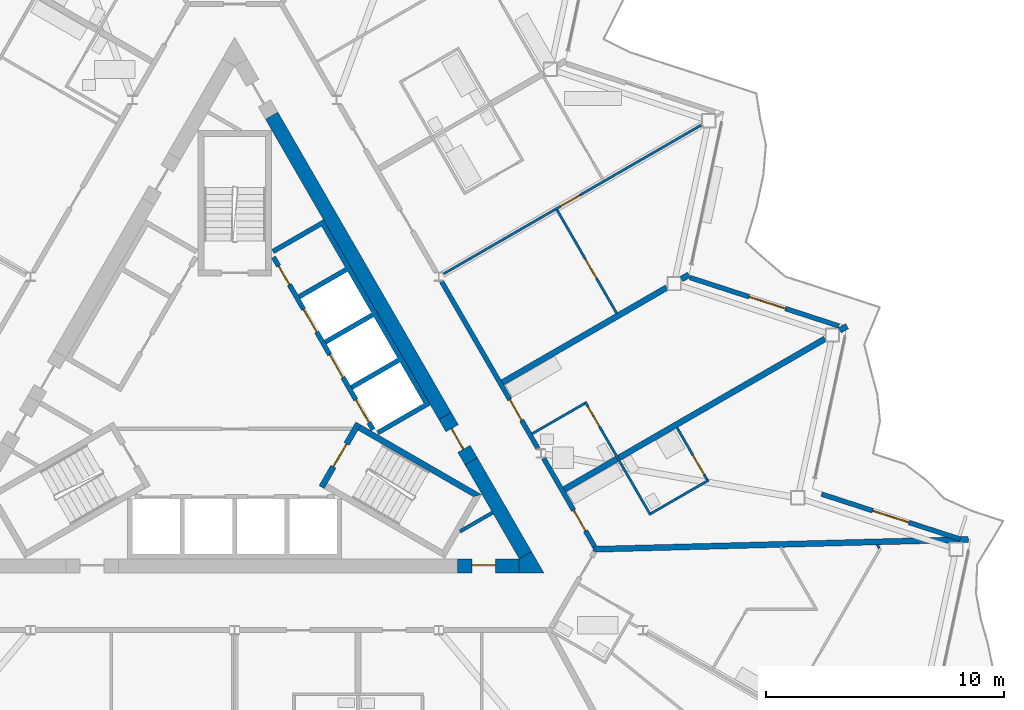
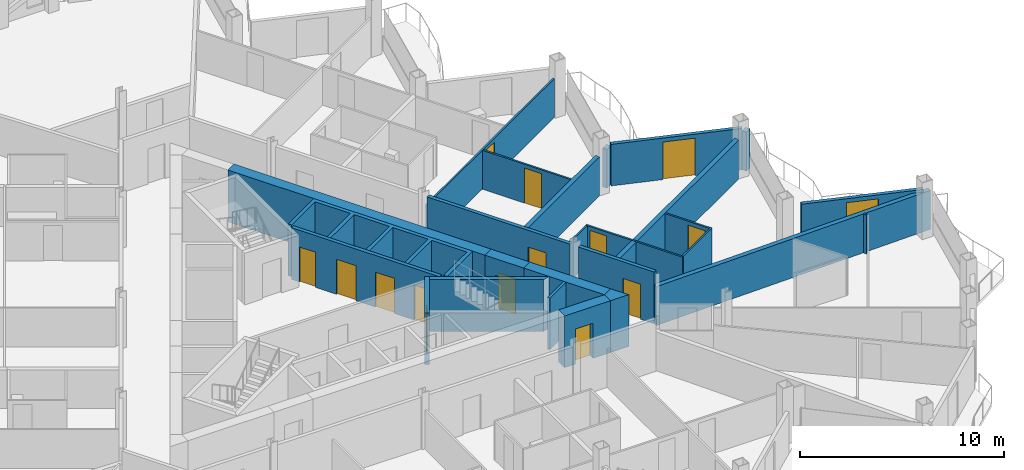
# One storey, part 17 of 28: 26 walls, 15 doors, 15 openings.
"""IFC4 building model written with IfcOpenShell, lengths in metres."""

from ifc_helpers import new_model, si_unit, direction, frame, frame_2d, origin, place, context, subcontext, project, spatial, polyline, rectangle, outline, extrude, material, layer, layer_set, type_object, element, fill, save


model = new_model("IFC4")

# Units and contexts
model_context = context("Model", 3, precision=1e-05, world=origin(), true_north=direction((0.0, 1.0)))
body_context = subcontext(model_context, "Body", "Model", "MODEL_VIEW")
ifc_project = project(units=[si_unit("LENGTHUNIT", "METRE"), si_unit("AREAUNIT", "SQUARE_METRE"), si_unit("VOLUMEUNIT", "CUBIC_METRE"), si_unit("PLANEANGLEUNIT", "RADIAN"), si_unit("MASSUNIT", "GRAM", prefix="KILO")], contexts=[model_context])

# Site, building, storey
site_placement = place(None, origin())
site = spatial("IfcSite", under=ifc_project, at=site_placement, CompositionType="ELEMENT")
building_placement = place(site_placement, origin())
building = spatial("IfcBuilding", under=site, at=building_placement, Name="Cormorant Prow Tower", CompositionType="ELEMENT")
storey_placement = place(building_placement, frame((0.0, 0.0, 305.199951171875)))
storey = spatial("IfcBuildingStorey", under=building, at=storey_placement, Name="L66", CompositionType="ELEMENT", Elevation=305.199951171875)

# Walls
ifc_material_1 = material(Name="Gypsum board partition")
ifc_layer_1 = layer(ifc_material_1, 0.14990234375)
ifc_layer_set_1 = layer_set([ifc_layer_1], Name="Gypsum board partition")
wall_type_1 = type_object("IfcWallType", Name="Core partition 150", PredefinedType="PARTITIONING", material=ifc_layer_set_1)
wall_1_placement = place(storey_placement, frame((10.841796875, -4.96728515625, 0.0), z_axis=(0.0, 0.0, 1.0), x_axis=(-0.866098216386, -0.499873863663, 0.0)))
element("IfcWall", 1, at=wall_1_placement, inside=storey, type_object=wall_type_1, Name="Service room partition", PredefinedType="PARTITIONING", context=body_context, shape_type="SweptSolid", body=[
    extrude(rectangle(XDim=1.58203125, YDim=0.14990234375, at=frame_2d((0.791015625, 0.0))), origin(), (0.0, 0.0, 1.0), 3.10009765625),
])
ifc_material_2 = material(Name="Concrete 8000 psi", Category="concrete")
ifc_layer_2 = layer(ifc_material_2, 0.60009765625)
ifc_layer_set_2 = layer_set([ifc_layer_2], Name="Concrete 8000 psi")
wall_type_2 = type_object("IfcWallType", Name="Core shear wall 600", PredefinedType="SHEAR", material=ifc_layer_set_2)
wall_2_placement = place(storey_placement, frame((8.841064453125, -0.902099609375, 0.0), z_axis=(0.0, 0.0, 1.0), x_axis=(-0.499995618375, 0.866027933502, 0.0)))
element("IfcWall", 2, at=wall_2_placement, inside=storey, type_object=wall_type_2, Name="Core wall", PredefinedType="SHEAR", context=body_context, shape_type="SweptSolid", body=[
    extrude(rectangle(XDim=14.570556640625, YDim=0.60009765625, at=frame_2d((7.28515625, 0.0))), origin(), (0.0, 0.0, 1.0), 3.10009765625),
])
wall_3_placement = place(storey_placement, frame((12.220703125, -6.755615234375, 0.0), z_axis=(0.0, 0.0, 1.0), x_axis=(-0.500020646047, 0.866013483456, 0.0)))
element("IfcWall", 3, at=wall_3_placement, inside=storey, type_object=wall_type_2, Name="Core wall", PredefinedType="SHEAR", context=body_context, shape_type="SweptSolid", body=[
    extrude(rectangle(XDim=4.559326171875, YDim=0.60009765625, at=frame_2d((2.27978515625, 0.0))), origin(), (0.0, 0.0, 1.0), 3.10009765625),
])
wall_4_placement = place(storey_placement, origin())
element("IfcWall", 4, at=wall_4_placement, inside=storey, type_object=wall_type_2, Name="Core wall corner", PredefinedType="SHEAR", context=body_context, shape_type="SweptSolid", body=[
    extrude(outline(polyline([(11.960693359375, -7.505615234375), (11.960693359375, -6.905517578125), (12.48046875, -6.605712890625), (13.0, -7.505615234375), (11.960693359375, -7.505615234375)])), origin(), (0.0, 0.0, 1.0), 3.10009765625),
])

# Wall, opening, door
wall_5_placement = place(storey_placement, frame((9.36865234375, -7.20556640625, 0.0), z_axis=(0.0, 0.0, 1.0), x_axis=(1.0, 0.0, 0.0)))
wall_5 = element("IfcWall", 5, at=wall_5_placement, inside=storey, type_object=wall_type_2, Name="Core wall door panel", PredefinedType="SHEAR", context=body_context, shape_type="SweptSolid", body=[
    extrude(rectangle(XDim=2.592041015625, YDim=0.60009765625, at=frame_2d((1.2958984375, 0.0))), origin(), (0.0, 0.0, 1.0), 3.10009765625),
])
opening_1_placement = place(wall_5_placement, frame((0.60009765625, 0.0, 0.0)))
opening_1 = element("IfcOpeningElement", 6, at=opening_1_placement, cuts=wall_5, Name="Opening L66-C15", PredefinedType="OPENING", context=body_context, shape_type="SweptSolid", body=[
    extrude(rectangle(XDim=1.0, YDim=2.10009765625, at=frame_2d((0.5, 1.050048828125))), frame((0.0, 0.31005859375, 0.0), z_axis=(0.0, -1.0, 0.0), x_axis=(1.0, 0.0, 0.0)), (0.0, 0.0, 1.0), 0.6201171875),
])
ifc_material_3 = material(Name="Painted steel", Category="steel")
door_type_1 = type_object("IfcDoorType", Name="Service door 1000x2100", OperationType="NOTDEFINED", PredefinedType="DOOR", material=ifc_material_3)
door_1_placement = place(opening_1_placement, origin())
door_1 = element("IfcDoor", 7, at=door_1_placement, inside=storey, type_object=door_type_1, Name="Core door, Telecom room", OperationType="SINGLE_SWING_RIGHT", OverallHeight=2.10009765625, OverallWidth=1.0, PredefinedType="DOOR", context=body_context, shape_type="SweptSolid", body=[
    extrude(rectangle(XDim=1.0, YDim=2.10009765625, at=frame_2d((0.5, 1.050048828125))), frame((0.0, 0.05517578125, 0.0), z_axis=(0.0, -1.0, 0.0), x_axis=(1.0, 0.0, 0.0)), (0.0, 0.0, 1.0), 0.050048828125),
])
fill(opening_1, door_1)

wall_6_placement = place(storey_placement, frame((9.94091796875, -2.80712890625, 0.0), z_axis=(0.0, 0.0, 1.0), x_axis=(-0.499994660107, 0.866028486751, 0.0)))
wall_6 = element("IfcWall", 8, at=wall_6_placement, inside=storey, type_object=wall_type_2, Name="Core wall door panel", PredefinedType="SHEAR", context=body_context, shape_type="SweptSolid", body=[
    extrude(rectangle(XDim=2.19970703125, YDim=0.60009765625, at=frame_2d((1.099853515625, 0.0))), origin(), (0.0, 0.0, 1.0), 3.10009765625),
])
opening_2_placement = place(wall_6_placement, frame((0.60009765625, 0.0, 0.0)))
opening_2 = element("IfcOpeningElement", 9, at=opening_2_placement, cuts=wall_6, Name="Opening L66-C17", PredefinedType="OPENING", context=body_context, shape_type="SweptSolid", body=[
    extrude(rectangle(XDim=1.0, YDim=2.10009765625, at=frame_2d((0.5, 1.050048828125))), frame((0.0, 0.31005859375, 0.0), z_axis=(0.0, -1.0, 0.0), x_axis=(1.0, 0.0, 0.0)), (0.0, 0.0, 1.0), 0.6201171875),
])
door_2_placement = place(opening_2_placement, origin())
door_2 = element("IfcDoor", 10, at=door_2_placement, inside=storey, type_object=door_type_1, Name="Core door, Electrical room", OperationType="SINGLE_SWING_LEFT", OverallHeight=2.10009765625, OverallWidth=1.0, PredefinedType="DOOR", context=body_context, shape_type="SweptSolid", body=[
    extrude(rectangle(XDim=1.0, YDim=2.10009765625, at=frame_2d((0.5, 1.050048828125))), frame((0.0, 0.05517578125, 0.0), z_axis=(0.0, -1.0, 0.0), x_axis=(1.0, 0.0, 0.0)), (0.0, 0.0, 1.0), 0.050048828125),
])
fill(opening_2, door_2)

ifc_material_4 = material(Name="Gypsum board corridor wall")
ifc_layer_3 = layer(ifc_material_4, 0.199951171875)
ifc_layer_set_3 = layer_set([ifc_layer_3], Name="Gypsum board corridor wall")
wall_type_3 = type_object("IfcWallType", Name="Corridor wall 200", PredefinedType="PARTITIONING", material=ifc_layer_set_3)
wall_7_placement = place(storey_placement, frame((8.698486328125, 4.7451171875, 0.0), z_axis=(0.0, 0.0, 1.0), x_axis=(0.499984266882, -0.866034487114, 0.0)))
wall_7 = element("IfcWall", 11, at=wall_7_placement, inside=storey, type_object=wall_type_3, Name="Corridor wall", PredefinedType="PARTITIONING", context=body_context, shape_type="SweptSolid", body=[
    extrude(rectangle(XDim=8.098876953125, YDim=0.199951171875, at=frame_2d((4.04931640625, 0.0))), origin(), (0.0, 0.0, 1.0), 3.10009765625),
])
opening_3_placement = place(wall_7_placement, frame((5.732177734375, 0.0, 0.0)))
opening_3 = element("IfcOpeningElement", 12, at=opening_3_placement, cuts=wall_7, Name="Opening L66-F24", PredefinedType="OPENING", context=body_context, shape_type="SweptSolid", body=[
    extrude(rectangle(XDim=1.0, YDim=2.10009765625, at=frame_2d((0.5, 1.050048828125))), frame((0.0, 0.10986328125, 0.0), z_axis=(0.0, -1.0, 0.0), x_axis=(1.0, 0.0, 0.0)), (0.0, 0.0, 1.0), 0.219970703125),
])
ifc_material_5 = material(Name="Timber door leaf", Category="wood")
door_type_2 = type_object("IfcDoorType", Name="Flat or room entrance door 1000x2100", OperationType="NOTDEFINED", PredefinedType="DOOR", material=ifc_material_5)
door_3_placement = place(opening_3_placement, origin())
door_3 = element("IfcDoor", 13, at=door_3_placement, inside=storey, type_object=door_type_2, Name="Studio living, kitchen and sleeping room door", OperationType="SINGLE_SWING_RIGHT", OverallHeight=2.10009765625, OverallWidth=1.0, PredefinedType="DOOR", context=body_context, shape_type="SweptSolid", body=[
    extrude(rectangle(XDim=1.0, YDim=2.10009765625, at=frame_2d((0.5, 1.050048828125))), frame((0.0, 0.02490234375, 0.0), z_axis=(0.0, -1.0, 0.0), x_axis=(1.0, 0.0, 0.0)), (0.0, 0.0, 1.0), 0.050048828125),
])
fill(opening_3, door_3)

wall_8_placement = place(storey_placement, frame((12.987548828125, -2.68408203125, 0.0), z_axis=(0.0, 0.0, 1.0), x_axis=(0.500003406062, -0.866023437285, 0.0)))
wall_8 = element("IfcWall", 14, at=wall_8_placement, inside=storey, type_object=wall_type_3, Name="Corridor wall", PredefinedType="PARTITIONING", context=body_context, shape_type="SweptSolid", body=[
    extrude(rectangle(XDim=4.28759765625, YDim=0.199951171875, at=frame_2d((2.143798828125, 0.0))), origin(), (0.0, 0.0, 1.0), 3.10009765625),
])
opening_4_placement = place(wall_8_placement, frame((2.521484375, 0.0, 0.0)))
opening_4 = element("IfcOpeningElement", 15, at=opening_4_placement, cuts=wall_8, Name="Opening L66-F22", PredefinedType="OPENING", context=body_context, shape_type="SweptSolid", body=[
    extrude(rectangle(XDim=1.0, YDim=2.10009765625, at=frame_2d((0.5, 1.050048828125))), frame((0.0, 0.10986328125, 0.0), z_axis=(0.0, -1.0, 0.0), x_axis=(1.0, 0.0, 0.0)), (0.0, 0.0, 1.0), 0.219970703125),
])
door_4_placement = place(opening_4_placement, origin())
door_4 = element("IfcDoor", 16, at=door_4_placement, inside=storey, type_object=door_type_2, Name="Studio living, kitchen and sleeping room door", OperationType="SINGLE_SWING_LEFT", OverallHeight=2.10009765625, OverallWidth=1.0, PredefinedType="DOOR", context=body_context, shape_type="SweptSolid", body=[
    extrude(rectangle(XDim=1.0, YDim=2.10009765625, at=frame_2d((0.5, 1.050048828125))), frame((0.0, 0.02490234375, 0.0), z_axis=(0.0, -1.0, 0.0), x_axis=(1.0, 0.0, 0.0)), (0.0, 0.0, 1.0), 0.050048828125),
])
fill(opening_4, door_4)

ifc_material_6 = material(Name="Gypsum board partition")
ifc_layer_4 = layer(ifc_material_6, 0.10009765625)
ifc_layer_set_4 = layer_set([ifc_layer_4], Name="Gypsum board partition")
wall_type_4 = type_object("IfcWallType", Name="Internal partition 100", PredefinedType="PARTITIONING", material=ifc_layer_set_4)
wall_9_placement = place(storey_placement, frame((8.7861328125, 5.07275390625, 0.0), z_axis=(0.0, 0.0, 1.0), x_axis=(0.86602139559, 0.500006942333, 0.0)))
wall_9 = element("IfcWall", 17, at=wall_9_placement, inside=storey, type_object=wall_type_4, Name="Internal partition", PredefinedType="PARTITIONING", context=body_context, shape_type="SweptSolid", body=[
    extrude(rectangle(XDim=12.504638671875, YDim=0.10009765625, at=frame_2d((6.25244140625, 0.0))), origin(), (0.0, 0.0, 1.0), 2.330078125),
])
opening_5_placement = place(wall_9_placement, frame((5.6767578125, 0.0, 0.0)))
opening_5 = element("IfcOpeningElement", 18, at=opening_5_placement, cuts=wall_9, Name="Opening L66-F29", PredefinedType="OPENING", context=body_context, shape_type="SweptSolid", body=[
    extrude(rectangle(XDim=0.949951171875, YDim=2.10009765625, at=frame_2d((0.47509765625, 1.050048828125))), frame((0.0, 0.06005859375, 0.0), z_axis=(0.0, -1.0, 0.0), x_axis=(1.0, 0.0, 0.0)), (0.0, 0.0, 1.0), 0.1201171875),
])
ifc_material_7 = material(Name="Timber door leaf", Category="wood")
door_type_3 = type_object("IfcDoorType", Name="Bathroom door 950x2100", OperationType="NOTDEFINED", PredefinedType="DOOR", material=ifc_material_7)
door_5_placement = place(opening_5_placement, origin())
door_5 = element("IfcDoor", 19, at=door_5_placement, inside=storey, type_object=door_type_3, Name="Living room door", OperationType="SINGLE_SWING_LEFT", OverallHeight=2.10009765625, OverallWidth=0.949951171875, PredefinedType="DOOR", context=body_context, shape_type="SweptSolid", body=[
    extrude(rectangle(XDim=0.949951171875, YDim=2.10009765625, at=frame_2d((0.47509765625, 1.050048828125))), frame((0.0, 0.02490234375, 0.0), z_axis=(0.0, -1.0, 0.0), x_axis=(1.0, 0.0, 0.0)), (0.0, 0.0, 1.0), 0.050048828125),
])
fill(opening_5, door_5)

wall_10_placement = place(storey_placement, frame((14.732666015625, -0.306640625, 0.0), z_axis=(0.0, 0.0, 1.0), x_axis=(0.499996545922, -0.866027397988, 0.0)))
wall_10 = element("IfcWall", 20, at=wall_10_placement, inside=storey, type_object=wall_type_4, Name="Internal partition", PredefinedType="PARTITIONING", context=body_context, shape_type="SweptSolid", body=[
    extrude(rectangle(XDim=5.5, YDim=0.10009765625, at=frame_2d((2.75, 0.0))), origin(), (0.0, 0.0, 1.0), 2.330078125),
])
opening_6_placement = place(wall_10_placement, frame((0.25, 0.0, 0.0)))
opening_6 = element("IfcOpeningElement", 21, at=opening_6_placement, cuts=wall_10, Name="Opening L66-F25", PredefinedType="OPENING", context=body_context, shape_type="SweptSolid", body=[
    extrude(rectangle(XDim=0.949951171875, YDim=2.10009765625, at=frame_2d((0.47509765625, 1.050048828125))), frame((0.0, 0.06005859375, 0.0), z_axis=(0.0, -1.0, 0.0), x_axis=(1.0, 0.0, 0.0)), (0.0, 0.0, 1.0), 0.1201171875),
])
door_6_placement = place(opening_6_placement, origin())
door_6 = element("IfcDoor", 22, at=door_6_placement, inside=storey, type_object=door_type_3, Name="Studio living, kitchen and sleeping room door", OperationType="SINGLE_SWING_LEFT", OverallHeight=2.10009765625, OverallWidth=0.949951171875, PredefinedType="DOOR", context=body_context, shape_type="SweptSolid", body=[
    extrude(rectangle(XDim=0.949951171875, YDim=2.10009765625, at=frame_2d((0.47509765625, 1.050048828125))), frame((0.0, 0.02490234375, 0.0), z_axis=(0.0, -1.0, 0.0), x_axis=(1.0, 0.0, 0.0)), (0.0, 0.0, 1.0), 0.050048828125),
])
fill(opening_6, door_6)

wall_11_placement = place(storey_placement, frame((13.5458984375, 7.762939453125, 0.0), z_axis=(0.0, 0.0, 1.0), x_axis=(0.500028620461, -0.866008879123, 0.0)))
wall_11 = element("IfcWall", 23, at=wall_11_placement, inside=storey, type_object=wall_type_4, Name="Internal partition", PredefinedType="PARTITIONING", context=body_context, shape_type="SweptSolid", body=[
    extrude(rectangle(XDim=5.015869140625, YDim=0.10009765625, at=frame_2d((2.5078125, 0.0))), origin(), (0.0, 0.0, 1.0), 2.330078125),
])
opening_7_placement = place(wall_11_placement, frame((2.3896484375, 0.0, 0.0)))
opening_7 = element("IfcOpeningElement", 24, at=opening_7_placement, cuts=wall_11, Name="Opening L66-F30", PredefinedType="OPENING", context=body_context, shape_type="SweptSolid", body=[
    extrude(rectangle(XDim=0.949951171875, YDim=2.10009765625, at=frame_2d((0.47509765625, 1.050048828125))), frame((0.0, 0.06005859375, 0.0), z_axis=(0.0, -1.0, 0.0), x_axis=(1.0, 0.0, 0.0)), (0.0, 0.0, 1.0), 0.1201171875),
])
door_7_placement = place(opening_7_placement, origin())
door_7 = element("IfcDoor", 25, at=door_7_placement, inside=storey, type_object=door_type_3, Name="Bedroom door", OperationType="SINGLE_SWING_RIGHT", OverallHeight=2.10009765625, OverallWidth=0.949951171875, PredefinedType="DOOR", context=body_context, shape_type="SweptSolid", body=[
    extrude(rectangle(XDim=0.949951171875, YDim=2.10009765625, at=frame_2d((0.47509765625, 1.050048828125))), frame((0.0, 0.02490234375, 0.0), z_axis=(0.0, -1.0, 0.0), x_axis=(1.0, 0.0, 0.0)), (0.0, 0.0, 1.0), 0.050048828125),
])
fill(opening_7, door_7)

# Wall
wall_12_placement = place(storey_placement, frame((17.5009765625, -5.00146484375, 0.0), z_axis=(0.0, 0.0, 1.0), x_axis=(0.866034573852, 0.49998411664, 0.0)))
element("IfcWall", 26, at=wall_12_placement, inside=storey, type_object=wall_type_4, Name="Internal partition", PredefinedType="PARTITIONING", context=body_context, shape_type="SweptSolid", body=[
    extrude(rectangle(XDim=2.7998046875, YDim=0.10009765625, at=frame_2d((1.39990234375, 0.0))), origin(), (0.0, 0.0, 1.0), 2.330078125),
])

# Wall, opening, door
wall_13_placement = place(storey_placement, frame((18.594970703125, -1.396484375, 0.0), z_axis=(0.0, 0.0, 1.0), x_axis=(0.499976333282, -0.866039067339, 0.0)))
wall_13 = element("IfcWall", 27, at=wall_13_placement, inside=storey, type_object=wall_type_4, Name="Internal partition", PredefinedType="PARTITIONING", context=body_context, shape_type="SweptSolid", body=[
    extrude(rectangle(XDim=2.52490234375, YDim=0.10009765625, at=frame_2d((1.262451171875, 0.0))), origin(), (0.0, 0.0, 1.0), 2.330078125),
])
opening_8_placement = place(wall_13_placement, frame((1.324951171875, 0.0, 0.0)))
opening_8 = element("IfcOpeningElement", 28, at=opening_8_placement, cuts=wall_13, Name="Opening L66-F23", PredefinedType="OPENING", context=body_context, shape_type="SweptSolid", body=[
    extrude(rectangle(XDim=0.949951171875, YDim=2.10009765625, at=frame_2d((0.47509765625, 1.050048828125))), frame((0.0, 0.06005859375, 0.0), z_axis=(0.0, -1.0, 0.0), x_axis=(1.0, 0.0, 0.0)), (0.0, 0.0, 1.0), 0.1201171875),
])
door_8_placement = place(opening_8_placement, origin())
door_8 = element("IfcDoor", 29, at=door_8_placement, inside=storey, type_object=door_type_3, Name="Studio living, kitchen and sleeping room door", OperationType="SINGLE_SWING_RIGHT", OverallHeight=2.10009765625, OverallWidth=0.949951171875, PredefinedType="DOOR", context=body_context, shape_type="SweptSolid", body=[
    extrude(rectangle(XDim=0.949951171875, YDim=2.10009765625, at=frame_2d((0.47509765625, 1.050048828125))), frame((0.0, 0.02490234375, 0.0), z_axis=(0.0, -1.0, 0.0), x_axis=(1.0, 0.0, 0.0)), (0.0, 0.0, 1.0), 0.050048828125),
])
fill(opening_8, door_8)

# Walls
wall_14_placement = place(storey_placement, frame((12.506103515625, -1.64990234375, 0.0), z_axis=(0.0, 0.0, 1.0), x_axis=(0.866030925526, 0.499990435942, 0.0)))
element("IfcWall", 30, at=wall_14_placement, inside=storey, type_object=wall_type_4, Name="Internal partition", PredefinedType="PARTITIONING", context=body_context, shape_type="SweptSolid", body=[
    extrude(rectangle(XDim=2.5498046875, YDim=0.10009765625, at=frame_2d((1.27490234375, 0.0))), origin(), (0.0, 0.0, 1.0), 2.330078125),
])
wall_15_placement = place(storey_placement, frame((27.006103515625, -6.306396484375, 0.0), z_axis=(0.0, 0.0, 1.0), x_axis=(0.500074377092, -0.865982457891, 0.0)))
element("IfcWall", 31, at=wall_15_placement, inside=storey, type_object=wall_type_4, Name="Internal partition", PredefinedType="PARTITIONING", context=body_context, shape_type="SweptSolid", body=[
    extrude(rectangle(XDim=0.18017578125, YDim=0.10009765625, at=frame_2d((0.090087890625, 0.0))), origin(), (0.0, 0.0, 1.0), 2.330078125),
])

# Wall, openings, doors
ifc_material_8 = material(Name="Concrete 5000 psi", Category="concrete")
ifc_layer_5 = layer(ifc_material_8, 0.199951171875)
ifc_layer_set_5 = layer_set([ifc_layer_5], Name="Concrete 5000 psi")
wall_type_5 = type_object("IfcWallType", Name="Lift lobby wall 200", PredefinedType="SOLIDWALL", material=ifc_layer_set_5)
wall_16_placement = place(storey_placement, frame((5.817138671875, -1.4755859375, 0.0), z_axis=(0.0, 0.0, 1.0), x_axis=(-0.500002616675, 0.866023893041, 0.0)))
wall_16 = element("IfcWall", 32, at=wall_16_placement, inside=storey, type_object=wall_type_5, Name="Lift lobby wall, ENE block", PredefinedType="SOLIDWALL", context=body_context, shape_type="SweptSolid", body=[
    extrude(rectangle(XDim=8.373046875, YDim=0.199951171875, at=frame_2d((4.1865234375, 0.0))), origin(), (0.0, 0.0, 1.0), 3.10009765625),
])
opening_9_placement = place(wall_16_placement, frame((0.336669921875, 0.0, 0.0)))
opening_9 = element("IfcOpeningElement", 33, at=opening_9_placement, cuts=wall_16, Name="Opening L66-C05", PredefinedType="OPENING", context=body_context, shape_type="SweptSolid", body=[
    extrude(rectangle(XDim=1.10009765625, YDim=2.10009765625, at=frame_2d((0.550048828125, 1.050048828125))), frame((0.0, 0.10986328125, 0.0), z_axis=(0.0, -1.0, 0.0), x_axis=(1.0, 0.0, 0.0)), (0.0, 0.0, 1.0), 0.219970703125),
])
opening_10_placement = place(wall_16_placement, frame((2.53662109375, 0.0, 0.0)))
opening_10 = element("IfcOpeningElement", 34, at=opening_10_placement, cuts=wall_16, Name="Opening L66-C06", PredefinedType="OPENING", context=body_context, shape_type="SweptSolid", body=[
    extrude(rectangle(XDim=1.10009765625, YDim=2.10009765625, at=frame_2d((0.550048828125, 1.050048828125))), frame((0.0, 0.10986328125, 0.0), z_axis=(0.0, -1.0, 0.0), x_axis=(1.0, 0.0, 0.0)), (0.0, 0.0, 1.0), 0.219970703125),
])
opening_11_placement = place(wall_16_placement, frame((4.736572265625, 0.0, 0.0)))
opening_11 = element("IfcOpeningElement", 35, at=opening_11_placement, cuts=wall_16, Name="Opening L66-C07", PredefinedType="OPENING", context=body_context, shape_type="SweptSolid", body=[
    extrude(rectangle(XDim=1.10009765625, YDim=2.10009765625, at=frame_2d((0.550048828125, 1.050048828125))), frame((0.0, 0.10986328125, 0.0), z_axis=(0.0, -1.0, 0.0), x_axis=(1.0, 0.0, 0.0)), (0.0, 0.0, 1.0), 0.219970703125),
])
opening_12_placement = place(wall_16_placement, frame((7.03662109375, 0.0, 0.0)))
opening_12 = element("IfcOpeningElement", 36, at=opening_12_placement, cuts=wall_16, Name="Opening L66-C08", PredefinedType="OPENING", context=body_context, shape_type="SweptSolid", body=[
    extrude(rectangle(XDim=0.89990234375, YDim=2.10009765625, at=frame_2d((0.449951171875, 1.050048828125))), frame((0.0, 0.10986328125, 0.0), z_axis=(0.0, -1.0, 0.0), x_axis=(1.0, 0.0, 0.0)), (0.0, 0.0, 1.0), 0.219970703125),
])
ifc_material_9 = material(Name="Painted steel", Category="steel")
door_type_4 = type_object("IfcDoorType", Name="Lift landing door 1100x2100", OperationType="SLIDING_TO_LEFT", PredefinedType="DOOR", material=ifc_material_9)
door_9_placement = place(opening_9_placement, origin())
door_9 = element("IfcDoor", 37, at=door_9_placement, inside=storey, type_object=door_type_4, Name="Landing door HR2", OperationType="SLIDING_TO_LEFT", OverallHeight=2.10009765625, OverallWidth=1.10009765625, PredefinedType="DOOR", context=body_context, shape_type="SweptSolid", body=[
    extrude(rectangle(XDim=1.10009765625, YDim=2.10009765625, at=frame_2d((0.550048828125, 1.050048828125))), frame((0.0, 0.02490234375, 0.0), z_axis=(0.0, -1.0, 0.0), x_axis=(1.0, 0.0, 0.0)), (0.0, 0.0, 1.0), 0.050048828125),
])
fill(opening_9, door_9)
door_10_placement = place(opening_10_placement, origin())
door_10 = element("IfcDoor", 38, at=door_10_placement, inside=storey, type_object=door_type_4, Name="Landing door HR3", OperationType="SLIDING_TO_LEFT", OverallHeight=2.10009765625, OverallWidth=1.10009765625, PredefinedType="DOOR", context=body_context, shape_type="SweptSolid", body=[
    extrude(rectangle(XDim=1.10009765625, YDim=2.10009765625, at=frame_2d((0.550048828125, 1.050048828125))), frame((0.0, 0.02490234375, 0.0), z_axis=(0.0, -1.0, 0.0), x_axis=(1.0, 0.0, 0.0)), (0.0, 0.0, 1.0), 0.050048828125),
])
fill(opening_10, door_10)
door_11_placement = place(opening_11_placement, origin())
door_11 = element("IfcDoor", 39, at=door_11_placement, inside=storey, type_object=door_type_4, Name="Landing door HR4", OperationType="SLIDING_TO_LEFT", OverallHeight=2.10009765625, OverallWidth=1.10009765625, PredefinedType="DOOR", context=body_context, shape_type="SweptSolid", body=[
    extrude(rectangle(XDim=1.10009765625, YDim=2.10009765625, at=frame_2d((0.550048828125, 1.050048828125))), frame((0.0, 0.02490234375, 0.0), z_axis=(0.0, -1.0, 0.0), x_axis=(1.0, 0.0, 0.0)), (0.0, 0.0, 1.0), 0.050048828125),
])
fill(opening_11, door_11)
ifc_material_10 = material(Name="Painted steel", Category="steel")
door_type_5 = type_object("IfcDoorType", Name="Service door 900x2100", OperationType="NOTDEFINED", PredefinedType="DOOR", material=ifc_material_10)
door_12_placement = place(opening_12_placement, origin())
door_12 = element("IfcDoor", 40, at=door_12_placement, inside=storey, type_object=door_type_5, Name="Service door, Telecom room", OperationType="SINGLE_SWING_RIGHT", OverallHeight=2.10009765625, OverallWidth=0.89990234375, PredefinedType="DOOR", context=body_context, shape_type="SweptSolid", body=[
    extrude(rectangle(XDim=0.89990234375, YDim=2.10009765625, at=frame_2d((0.449951171875, 1.050048828125))), frame((0.0, 0.02490234375, 0.0), z_axis=(0.0, -1.0, 0.0), x_axis=(1.0, 0.0, 0.0)), (0.0, 0.0, 1.0), 0.050048828125),
])
fill(opening_12, door_12)

# Walls
ifc_material_11 = material(Name="Concrete 8000 psi", Category="concrete")
ifc_layer_6 = layer(ifc_material_11, 0.199951171875)
ifc_layer_set_6 = layer_set([ifc_layer_6], Name="Concrete 8000 psi")
wall_type_6 = type_object("IfcWallType", Name="Lift shaft wall 200", PredefinedType="SHEAR", material=ifc_layer_set_6)
wall_17_placement = place(storey_placement, origin())
element("IfcWall", 41, at=wall_17_placement, inside=storey, type_object=wall_type_6, Name="Lift shaft walls, ENE block", PredefinedType="SHEAR", context=body_context, shape_type="SweptSolid", body=[
    extrude(outline(polyline([(1.560546875, 6.09716796875), (3.730712890625, 7.35009765625), (8.230712890625, -0.444091796875), (6.060546875, -1.697021484375), (5.96044921875, -1.52392578125), (7.952392578125, -0.373779296875), (6.952392578125, 1.358154296875), (4.96044921875, 0.2080078125), (4.860595703125, 0.38134765625), (6.852294921875, 1.53125), (5.852294921875, 3.263427734375), (3.860595703125, 2.11328125), (3.760498046875, 2.28662109375), (5.75244140625, 3.4365234375), (4.75244140625, 5.168701171875), (2.760498046875, 4.018798828125), (2.660400390625, 4.19189453125), (4.65234375, 5.341796875), (3.65234375, 7.073974609375), (1.660400390625, 5.923828125), (1.560546875, 6.09716796875)])), origin(), (0.0, 0.0, 1.0), 3.10009765625),
])
ifc_material_12 = material(Name="Concrete 8000 psi", Category="concrete")
ifc_layer_7 = layer(ifc_material_12, 0.25)
ifc_layer_set_7 = layer_set([ifc_layer_7], Name="Concrete 8000 psi")
wall_type_7 = type_object("IfcWallType", Name="Stair wall 250", PredefinedType="SHEAR", material=ifc_layer_set_7)
wall_18_placement = place(storey_placement, origin())
element("IfcWall", 42, at=wall_18_placement, inside=storey, type_object=wall_type_7, Name="Stair ST2 enclosure wall (flank)", PredefinedType="SHEAR", context=body_context, shape_type="SweptSolid", body=[
    extrude(outline(polyline([(10.031982421875, -4.2978515625), (10.37353515625, -4.206298828125), (5.30712890625, -1.28125), (5.18212890625, -1.497802734375), (10.031982421875, -4.2978515625)])), origin(), (0.0, 0.0, 1.0), 3.10009765625),
])

# Wall, opening, door
wall_19_placement = place(storey_placement, frame((3.655029296875, -3.89306640625, 0.0), z_axis=(0.0, 0.0, 1.0), x_axis=(0.499982516597, 0.866035497597, 0.0)))
wall_19 = element("IfcWall", 43, at=wall_19_placement, inside=storey, type_object=wall_type_7, Name="Stair ST2 door wall", PredefinedType="SHEAR", context=body_context, shape_type="SweptSolid", body=[
    extrude(rectangle(XDim=3.087890625, YDim=0.25, at=frame_2d((1.5439453125, 0.0))), origin(), (0.0, 0.0, 1.0), 3.10009765625),
])
opening_13_placement = place(wall_19_placement, frame((0.993896484375, 0.0, 0.0)))
opening_13 = element("IfcOpeningElement", 44, at=opening_13_placement, cuts=wall_19, Name="Opening L66-C13", PredefinedType="OPENING", context=body_context, shape_type="SweptSolid", body=[
    extrude(rectangle(XDim=1.10009765625, YDim=2.10009765625, at=frame_2d((0.550048828125, 1.050048828125))), frame((0.0, 0.135009765625, 0.0), z_axis=(0.0, -1.0, 0.0), x_axis=(1.0, 0.0, 0.0)), (0.0, 0.0, 1.0), 0.27001953125),
])
ifc_material_13 = material(Name="Painted steel", Category="steel")
door_type_6 = type_object("IfcDoorType", Name="Stair door 1100x2100", OperationType="NOTDEFINED", PredefinedType="DOOR", material=ifc_material_13)
door_13_placement = place(opening_13_placement, origin())
door_13 = element("IfcDoor", 45, at=door_13_placement, inside=storey, type_object=door_type_6, Name="Stair ST2 door", OperationType="SINGLE_SWING_RIGHT", OverallHeight=2.10009765625, OverallWidth=1.10009765625, PredefinedType="DOOR", context=body_context, shape_type="SweptSolid", body=[
    extrude(rectangle(XDim=1.10009765625, YDim=2.10009765625, at=frame_2d((0.550048828125, 1.050048828125))), frame((0.0, 0.02490234375, 0.0), z_axis=(0.0, -1.0, 0.0), x_axis=(1.0, 0.0, 0.0)), (0.0, 0.0, 1.0), 0.050048828125),
])
fill(opening_13, door_13)

# Walls
ifc_material_14 = material(Name="Acoustic gypsum party wall")
ifc_layer_8 = layer(ifc_material_14, 0.25)
ifc_layer_set_8 = layer_set([ifc_layer_8], Name="Acoustic gypsum party wall")
wall_type_8 = type_object("IfcWallType", Name="Suite party wall 250", PredefinedType="PARTITIONING", material=ifc_layer_set_8)
wall_20_placement = place(storey_placement, frame((15.069091796875, -6.5087890625, 0.0), z_axis=(0.0, 0.0, 1.0), x_axis=(0.999657828615, 0.026157708023, 0.0)))
element("IfcWall", 46, at=wall_20_placement, inside=storey, type_object=wall_type_8, Name="Suite party wall", PredefinedType="PARTITIONING", context=body_context, shape_type="SweptSolid", body=[
    extrude(rectangle(XDim=15.7734375, YDim=0.25, at=frame_2d((7.88671875, 0.0))), origin(), (0.0, 0.0, 1.0), 2.330078125),
])
wall_21_placement = place(storey_placement, frame((13.85595703125, -3.98828125, 0.0), z_axis=(0.0, 0.0, 1.0), x_axis=(0.866021406514, 0.500006923412, 0.0)))
element("IfcWall", 47, at=wall_21_placement, inside=storey, type_object=wall_type_8, Name="Suite party wall", PredefinedType="PARTITIONING", context=body_context, shape_type="SweptSolid", body=[
    extrude(rectangle(XDim=12.654052734375, YDim=0.25, at=frame_2d((6.3271484375, 0.0))), origin(), (0.0, 0.0, 1.0), 2.330078125),
])
wall_22_placement = place(storey_placement, frame((11.260498046875, 0.50732421875, 0.0), z_axis=(0.0, 0.0, 1.0), x_axis=(0.86602842894, 0.499994760241, 0.0)))
element("IfcWall", 48, at=wall_22_placement, inside=storey, type_object=wall_type_8, Name="Suite party wall", PredefinedType="PARTITIONING", context=body_context, shape_type="SweptSolid", body=[
    extrude(rectangle(XDim=7.9677734375, YDim=0.25, at=frame_2d((3.98388671875, 0.0))), origin(), (0.0, 0.0, 1.0), 2.330078125),
])
wall_23_placement = place(storey_placement, frame((18.781005859375, 4.849365234375, 0.0), z_axis=(0.0, 0.0, 1.0), x_axis=(0.86609656662, 0.499876722092, 0.0)))
element("IfcWall", 49, at=wall_23_placement, inside=storey, type_object=wall_type_8, Name="Suite party wall", PredefinedType="PARTITIONING", context=body_context, shape_type="SweptSolid", body=[
    extrude(rectangle(XDim=0.365234375, YDim=0.25, at=frame_2d((0.1826171875, 0.0))), origin(), (0.0, 0.0, 1.0), 2.330078125),
])
wall_24_placement = place(storey_placement, frame((25.434814453125, 2.69677734375, 0.0), z_axis=(0.0, 0.0, 1.0), x_axis=(0.865851769275, 0.500300623268, 0.0)))
element("IfcWall", 50, at=wall_24_placement, inside=storey, type_object=wall_type_8, Name="Suite party wall", PredefinedType="PARTITIONING", context=body_context, shape_type="SweptSolid", body=[
    extrude(rectangle(XDim=0.353271484375, YDim=0.25, at=frame_2d((0.1767578125, 0.0))), origin(), (0.0, 0.0, 1.0), 2.330078125),
])

# Wall, opening, door
ifc_material_15 = material(Name="Terracotta", Category="masonry")
ifc_layer_9 = layer(ifc_material_15, 0.199951171875)
ifc_layer_set_9 = layer_set([ifc_layer_9], Name="Terracotta")
wall_type_9 = type_object("IfcWallType", Name="Terracotta jamb wall 200", PredefinedType="SOLIDWALL", material=ifc_layer_set_9)
wall_25_placement = place(storey_placement, frame((30.488037109375, -6.078369140625, 0.0), z_axis=(0.0, 0.0, 1.0), x_axis=(-0.951062515241, 0.308998530908, 0.0)))
wall_25 = element("IfcWall", 51, at=wall_25_placement, inside=storey, type_object=wall_type_9, Name="Terracotta jamb wall ENE01", PredefinedType="SOLIDWALL", context=body_context, shape_type="SweptSolid", body=[
    extrude(rectangle(XDim=6.116943359375, YDim=0.199951171875, at=frame_2d((3.05859375, 0.0))), origin(), (0.0, 0.0, 1.0), 2.488037109375),
])
opening_14_placement = place(wall_25_placement, frame((2.258544921875, 0.0, 0.0)))
opening_14 = element("IfcOpeningElement", 52, at=opening_14_placement, cuts=wall_25, Name="Opening ED66.06", PredefinedType="OPENING", context=body_context, shape_type="SweptSolid", body=[
    extrude(rectangle(XDim=1.60009765625, YDim=2.25, at=frame_2d((0.800048828125, 1.125))), frame((0.0, 0.10986328125, 0.0), z_axis=(0.0, -1.0, 0.0), x_axis=(1.0, 0.0, 0.0)), (0.0, 0.0, 1.0), 0.219970703125),
])
ifc_material_16 = material(Name="Aluminium 6063-T6", Category="aluminium")
door_type_7 = type_object("IfcDoorType", Name="Balcony door 1600x2250", OperationType="DOUBLE_DOOR_SINGLE_SWING", PredefinedType="DOOR", material=ifc_material_16)
door_14_placement = place(opening_14_placement, origin())
door_14 = element("IfcDoor", 53, at=door_14_placement, inside=storey, type_object=door_type_7, Name="Balcony door ENE01 ED66.06", OperationType="DOUBLE_DOOR_SINGLE_SWING", OverallHeight=2.25, OverallWidth=1.60009765625, PredefinedType="DOOR", context=body_context, shape_type="SweptSolid", body=[
    extrude(rectangle(XDim=1.60009765625, YDim=2.25, at=frame_2d((0.800048828125, 1.125))), frame((0.0, 0.02490234375, 0.0), z_axis=(0.0, -1.0, 0.0), x_axis=(1.0, 0.0, 0.0)), (0.0, 0.0, 1.0), 0.050048828125),
])
fill(opening_14, door_14)

wall_26_placement = place(storey_placement, frame((25.397705078125, 2.8798828125, 0.0), z_axis=(0.0, 0.0, 1.0), x_axis=(-0.95105697409, 0.309015585424, 0.0)))
wall_26 = element("IfcWall", 54, at=wall_26_placement, inside=storey, type_object=wall_type_9, Name="Terracotta jamb wall ENE03", PredefinedType="SOLIDWALL", context=body_context, shape_type="SweptSolid", body=[
    extrude(rectangle(XDim=6.578857421875, YDim=0.199951171875, at=frame_2d((3.28955078125, 0.0))), origin(), (0.0, 0.0, 1.0), 2.488037109375),
])
opening_15_placement = place(wall_26_placement, frame((2.3642578125, 0.0, 0.0)))
opening_15 = element("IfcOpeningElement", 55, at=opening_15_placement, cuts=wall_26, Name="Opening ED66.07", PredefinedType="OPENING", context=body_context, shape_type="SweptSolid", body=[
    extrude(rectangle(XDim=1.60009765625, YDim=2.25, at=frame_2d((0.800048828125, 1.125))), frame((0.0, 0.10986328125, 0.0), z_axis=(0.0, -1.0, 0.0), x_axis=(1.0, 0.0, 0.0)), (0.0, 0.0, 1.0), 0.219970703125),
])
door_15_placement = place(opening_15_placement, origin())
door_15 = element("IfcDoor", 56, at=door_15_placement, inside=storey, type_object=door_type_7, Name="Balcony door ENE03 ED66.07", OperationType="DOUBLE_DOOR_SINGLE_SWING", OverallHeight=2.25, OverallWidth=1.60009765625, PredefinedType="DOOR", context=body_context, shape_type="SweptSolid", body=[
    extrude(rectangle(XDim=1.60009765625, YDim=2.25, at=frame_2d((0.800048828125, 1.125))), frame((0.0, 0.02490234375, 0.0), z_axis=(0.0, -1.0, 0.0), x_axis=(1.0, 0.0, 0.0)), (0.0, 0.0, 1.0), 0.050048828125),
])
fill(opening_15, door_15)

save(model, "model.ifc")
